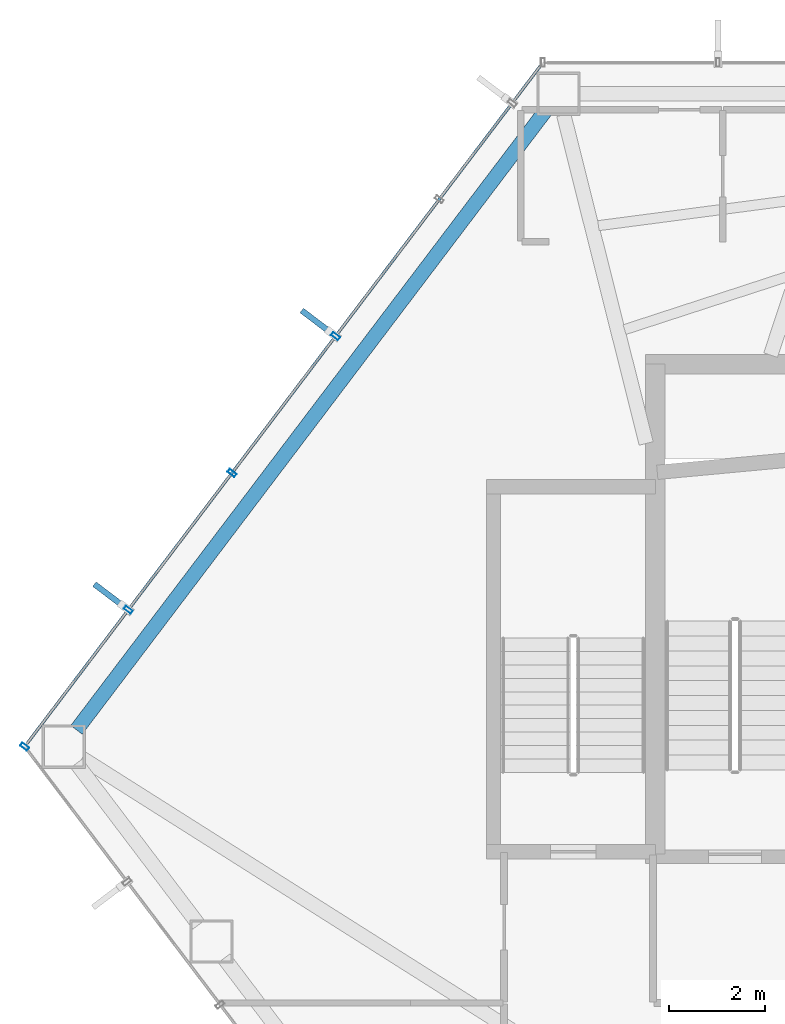
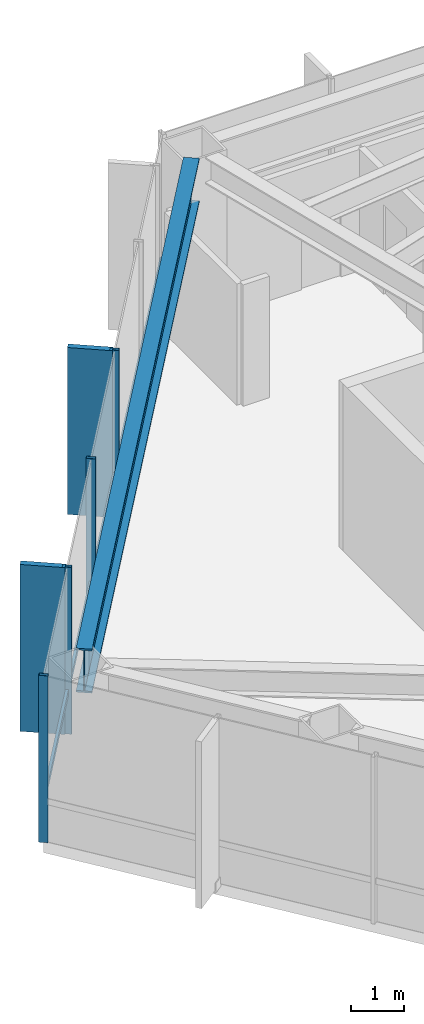
# One storey, part 10 of 24: 7 members, 1 beam, 1 element without a shape of its own.
"""IFC4 building model written with IfcOpenShell, lengths in metres."""

from ifc_helpers import new_model, si_unit, direction, frame, origin, origin_2d, place, context, subcontext, project, spatial, rectangle, hollow_rectangle, i_section, extrude, material, layer, layer_set, material_profile, profile_set, type_object, element, aggregate, save


model = new_model("IFC4")

# Units and contexts
model_context = context("Model", 3, precision=1e-05, world=origin(), true_north=direction((0.0, 1.0)))
body_context = subcontext(model_context, "Body", "Model", "MODEL_VIEW")
ifc_project = project(units=[si_unit("LENGTHUNIT", "METRE"), si_unit("AREAUNIT", "SQUARE_METRE"), si_unit("VOLUMEUNIT", "CUBIC_METRE"), si_unit("PLANEANGLEUNIT", "RADIAN"), si_unit("MASSUNIT", "GRAM", prefix="KILO")], contexts=[model_context])

# Site, building, storey
site_placement = place(None, origin())
site = spatial("IfcSite", under=ifc_project, at=site_placement, CompositionType="ELEMENT")
building_placement = place(site_placement, origin())
building = spatial("IfcBuilding", under=site, at=building_placement, Name="Zarrinselat Tower", CompositionType="ELEMENT")
storey_placement = place(building_placement, frame((0.0, 0.0, 72.419921875)))
storey = spatial("IfcBuildingStorey", under=building, at=storey_placement, Name="L17", CompositionType="ELEMENT", Elevation=72.419921875)

# Beam
ifc_material_1 = material(Name="Steel S460M", Category="steel")
ifc_material_profile_1 = material_profile(ifc_material_1, i_section(OverallWidth=0.302001953125, OverallDepth=1.008056640625, WebThickness=0.02099609375, FlangeThickness=0.0400390625, at=origin_2d()), Name="HEM 1000")
ifc_profile_set_1 = profile_set([ifc_material_profile_1], Name="Steel S460M")
beam_type = type_object("IfcBeamType", Name="BM-HEM1000", PredefinedType="BEAM", material=ifc_profile_set_1)
beam_placement = place(storey_placement, frame((16.54541015625, 35.8359375, 3.316162109375), z_axis=(0.603853040214, 0.797095669179, 0.0), x_axis=(-0.797095669179, 0.603853040214, 0.0)))
element("IfcBeam", 1, at=beam_placement, inside=storey, type_object=beam_type, Name="L17 Perimeter Spandrel Girder SP05", PredefinedType="BEAM", context=body_context, shape_type="SweptSolid", body=[
    extrude(i_section(OverallWidth=0.302001953125, OverallDepth=1.008056640625, WebThickness=0.02099609375, FlangeThickness=0.0400390625, at=origin_2d()), origin(), (0.0, 0.0, 1.0), 16.181396484375),
])

# Curtain wall, members
ifc_material_2 = material(Name="Extruded Aluminium Alloy EN AW-6063 T6", Category="aluminium")
ifc_layer = layer(ifc_material_2, 0.18505859375)
ifc_layer_set = layer_set([ifc_layer], Name="Extruded Aluminium Alloy EN AW-6063 T6")
curtain_wall_type = type_object("IfcCurtainWallType", Name="CWS-OFF", PredefinedType="NOTDEFINED", material=ifc_layer_set)
curtain_wall_placement = place(storey_placement, origin())
curtain_wall = element("IfcCurtainWall", 2, at=curtain_wall_placement, inside=storey, type_object=curtain_wall_type, Name="L17 Unitised Curtain Wall CW-L17-E02", PredefinedType="NOTDEFINED")
ifc_material_3 = material(Name="Extruded Aluminium Alloy EN AW-6063 T6", Category="aluminium")
ifc_material_profile_2 = material_profile(ifc_material_3, hollow_rectangle(XDim=0.080078125, YDim=0.179931640625, WallThickness=0.0048828125, at=origin_2d()), Name="RHS 180x80x5")
ifc_profile_set_2 = profile_set([ifc_material_profile_2], Name="Extruded Aluminium Alloy EN AW-6063 T6")
member_type_1 = type_object("IfcMemberType", Name="MEM-CW-MUL", PredefinedType="MULLION", material=ifc_profile_set_2)
member_1_placement = place(storey_placement, frame((21.941162109375, 44.03466796875, 0.0), z_axis=(0.0, 0.0, 1.0), x_axis=(-0.60385671849, -0.797092882627, 0.0)))
member_1 = element("IfcMember", 3, at=member_1_placement, type_object=member_type_1, Name="CW-L17-E02 Mullion 3", PredefinedType="MULLION", context=body_context, shape_type="SweptSolid", body=[
    extrude(hollow_rectangle(XDim=0.080078125, YDim=0.179931640625, WallThickness=0.0048828125, at=origin_2d()), origin(), (0.0, 0.0, 1.0), 3.820068359375),
])
member_2_placement = place(storey_placement, frame((19.78271484375, 41.185546875, 0.0), z_axis=(0.0, 0.0, 1.0), x_axis=(-0.60385671849, -0.797092882627, 0.0)))
member_2 = element("IfcMember", 4, at=member_2_placement, type_object=member_type_1, Name="CW-L17-E02 Mullion 4", PredefinedType="MULLION", context=body_context, shape_type="SweptSolid", body=[
    extrude(hollow_rectangle(XDim=0.080078125, YDim=0.179931640625, WallThickness=0.0048828125, at=origin_2d()), origin(), (0.0, 0.0, 1.0), 3.820068359375),
])
member_3_placement = place(storey_placement, frame((17.6240234375, 38.336181640625, 0.0), z_axis=(0.0, 0.0, 1.0), x_axis=(-0.60385671849, -0.797092882627, 0.0)))
member_3 = element("IfcMember", 5, at=member_3_placement, type_object=member_type_1, Name="CW-L17-E02 Mullion 5", PredefinedType="MULLION", context=body_context, shape_type="SweptSolid", body=[
    extrude(hollow_rectangle(XDim=0.080078125, YDim=0.179931640625, WallThickness=0.0048828125, at=origin_2d()), origin(), (0.0, 0.0, 1.0), 3.820068359375),
])
member_4_placement = place(storey_placement, frame((15.465576171875, 35.48681640625, 0.0), z_axis=(0.0, 0.0, 1.0), x_axis=(-0.60385671849, -0.797092882627, 0.0)))
member_4 = element("IfcMember", 6, at=member_4_placement, type_object=member_type_1, Name="CW-L17-E02 Mullion 6", PredefinedType="MULLION", context=body_context, shape_type="SweptSolid", body=[
    extrude(hollow_rectangle(XDim=0.080078125, YDim=0.179931640625, WallThickness=0.0048828125, at=origin_2d()), origin(), (0.0, 0.0, 1.0), 3.820068359375),
])
ifc_material_4 = material(Name="Extruded Aluminium Alloy EN AW-6063 T6", Category="aluminium")
ifc_material_profile_3 = material_profile(ifc_material_4, hollow_rectangle(XDim=0.06005859375, YDim=0.139892578125, WallThickness=0.00390625, at=origin_2d()), Name="RHS 140x60x4")
ifc_profile_set_3 = profile_set([ifc_material_profile_3], Name="Extruded Aluminium Alloy EN AW-6063 T6")
member_type_2 = type_object("IfcMemberType", Name="MEM-CW-TRN", PredefinedType="USERDEFINED", material=ifc_profile_set_3)
member_5_placement = place(storey_placement, frame((26.203857421875, 49.66162109375, 0.9501953125), z_axis=(-0.603856625322, -0.797092953209, 0.0), x_axis=(0.797092953209, -0.603856625322, 0.0)))
member_5 = element("IfcMember", 7, at=member_5_placement, type_object=member_type_2, Name="CW-L17-E02 Transom 1", ObjectType="TRANSOM", PredefinedType="USERDEFINED", context=body_context, shape_type="SweptSolid", body=[
    extrude(hollow_rectangle(XDim=0.06005859375, YDim=0.139892578125, WallThickness=0.00390625, at=origin_2d()), origin(), (0.0, 0.0, 1.0), 17.693115234375),
])
ifc_material_5 = material(Name="Honed Cream Travertine Stone", Category="masonry")
ifc_material_profile_4 = material_profile(ifc_material_5, rectangle(XDim=0.1201171875, YDim=0.85009765625, at=origin_2d()), Name="FIN 850x120")
ifc_profile_set_4 = profile_set([ifc_material_profile_4], Name="Honed Cream Travertine Stone")
member_type_3 = type_object("IfcMemberType", Name="MEM-STONE-FIN", PredefinedType="USERDEFINED", material=ifc_profile_set_4)
member_6_placement = place(storey_placement, frame((21.574462890625, 44.3125, 0.0), z_axis=(0.0, 0.0, 1.0), x_axis=(0.60385671849, 0.797092882627, 0.0)))
member_6 = element("IfcMember", 8, at=member_6_placement, type_object=member_type_3, Name="L17 Stone Shading Fin CW-L17-E02-03", ObjectType="FIN", PredefinedType="USERDEFINED", context=body_context, shape_type="SweptSolid", body=[
    extrude(rectangle(XDim=0.1201171875, YDim=0.85009765625, at=origin_2d()), origin(), (0.0, 0.0, 1.0), 3.820068359375),
])
member_7_placement = place(storey_placement, frame((17.25732421875, 38.614013671875, 0.0), z_axis=(0.0, 0.0, 1.0), x_axis=(0.60385671849, 0.797092882627, 0.0)))
member_7 = element("IfcMember", 9, at=member_7_placement, type_object=member_type_3, Name="L17 Stone Shading Fin CW-L17-E02-05", ObjectType="FIN", PredefinedType="USERDEFINED", context=body_context, shape_type="SweptSolid", body=[
    extrude(rectangle(XDim=0.1201171875, YDim=0.85009765625, at=origin_2d()), origin(), (0.0, 0.0, 1.0), 3.820068359375),
])
aggregate(curtain_wall, [member_1, member_6, member_2, member_3, member_7, member_4, member_5])

save(model, "model.ifc")
